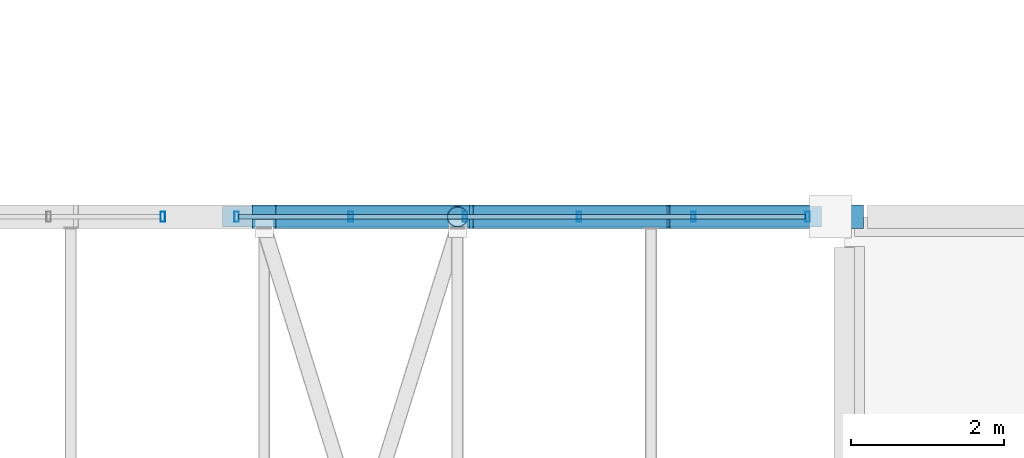
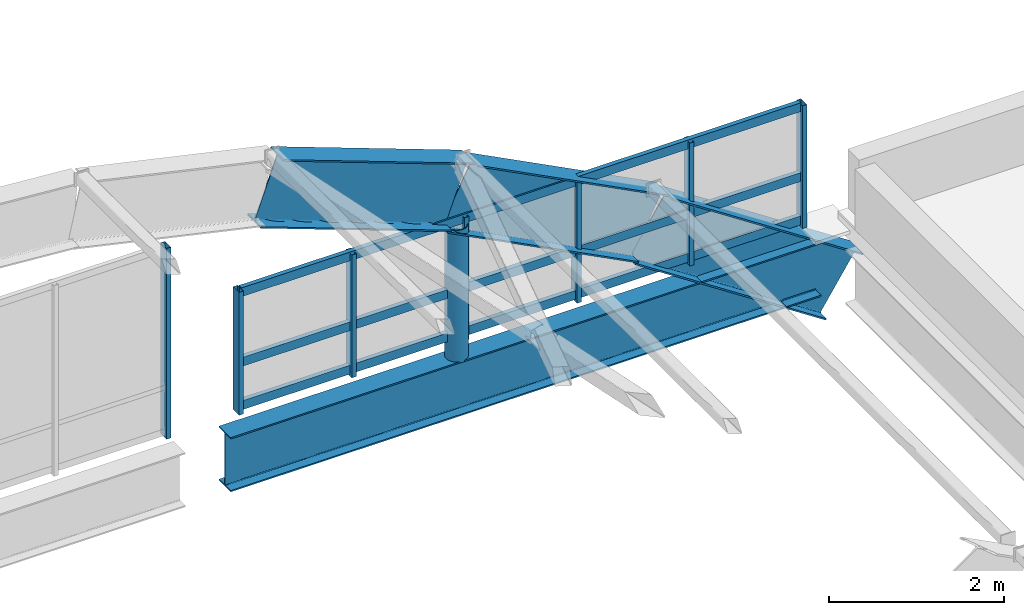
# One storey, part 18 of 130: 11 members, 4 beams, 2 elements without a shape of their own.
"""IFC4 building model written with IfcOpenShell, lengths in metres."""

from ifc_helpers import new_model, si_unit, direction, frame, origin, origin_2d, place, context, subcontext, project, spatial, hollow_rectangle, hollow_circle, i_section, extrude, material, layer, layer_set, material_profile, profile_set, type_object, element, aggregate, save


model = new_model("IFC4")

# Units and contexts
model_context = context("Model", 3, precision=1e-05, world=origin(), true_north=direction((0.0, 1.0)))
body_context = subcontext(model_context, "Body", "Model", "MODEL_VIEW")
ifc_project = project(units=[si_unit("LENGTHUNIT", "METRE"), si_unit("AREAUNIT", "SQUARE_METRE"), si_unit("VOLUMEUNIT", "CUBIC_METRE"), si_unit("PLANEANGLEUNIT", "RADIAN"), si_unit("MASSUNIT", "GRAM", prefix="KILO")], contexts=[model_context])

# Site, building, storey
site_placement = place(None, origin())
site = spatial("IfcSite", under=ifc_project, at=site_placement, CompositionType="ELEMENT")
building_placement = place(site_placement, origin())
building = spatial("IfcBuilding", under=site, at=building_placement, Name="Vireocrest Preparatory School", CompositionType="ELEMENT")
storey_placement = place(building_placement, frame((0.0, 0.0, 9.0)))
storey = spatial("IfcBuildingStorey", under=building, at=storey_placement, Name="L02", CompositionType="ELEMENT", Elevation=9.0)

# Curtain wall, member
ifc_material_1 = material(Name="Thermally broken aluminium EN AW-6063-T6", Category="aluminium")
ifc_layer_1 = layer(ifc_material_1, 0.179931640625)
ifc_layer_set_1 = layer_set([ifc_layer_1], Name="Thermally broken aluminium EN AW-6063-T6")
curtain_wall_type_1 = type_object("IfcCurtainWallType", Name="Vault Centre Gable Clerestory 8400x3800", PredefinedType="USERDEFINED", material=ifc_layer_set_1)
curtain_wall_1_placement = place(storey_placement, origin())
curtain_wall_1 = element("IfcCurtainWall", 1, at=curtain_wall_1_placement, inside=storey, type_object=curtain_wall_type_1, Name="Curtain Wall CW14 CW_L02_CW14_0088_0522_090", ObjectType="CURTAIN WALL", PredefinedType="USERDEFINED")
ifc_material_profile_1 = material_profile(ifc_material_1, hollow_rectangle(XDim=0.06005859375, YDim=0.135009765625, WallThickness=0.00390625, at=origin_2d()), Name="ALU 60x135x4")
ifc_profile_set_1 = profile_set([ifc_material_profile_1], Name="Thermally broken aluminium EN AW-6063-T6")
member_type_1 = type_object("IfcMemberType", Name="CW Clerestory Mullion 60x135x4", PredefinedType="MULLION", material=ifc_profile_set_1)
member_1_placement = place(storey_placement, frame((16.320068359375, 52.199951171875, 0.0), z_axis=(0.0, 0.0, 1.0), x_axis=(1.0, 0.0, 0.0)))
member_1 = element("IfcMember", 2, at=member_1_placement, type_object=member_type_1, Name="CW Mullion ML6 CW_L02_CW14_0088_0522_090-6", PredefinedType="MULLION", context=body_context, shape_type="SweptSolid", body=[
    extrude(hollow_rectangle(XDim=0.06005859375, YDim=0.135009765625, WallThickness=0.00390625, at=origin_2d()), origin(), (0.0, 0.0, 1.0), 2.6650390625),
])
aggregate(curtain_wall_1, [member_1])

# Curtain wall, members
ifc_layer_2 = layer(ifc_material_1, 0.179931640625)
ifc_layer_set_2 = layer_set([ifc_layer_2], Name="Thermally broken aluminium EN AW-6063-T6")
curtain_wall_type_2 = type_object("IfcCurtainWallType", Name="Vault Gable Clerestory 8400x2600", PredefinedType="USERDEFINED", material=ifc_layer_set_2)
curtain_wall_2_placement = place(storey_placement, origin())
curtain_wall_2 = element("IfcCurtainWall", 3, at=curtain_wall_2_placement, inside=storey, type_object=curtain_wall_type_2, Name="Curtain Wall CW13 CW_L02_CW13_0172_0522_090", ObjectType="CURTAIN WALL", PredefinedType="USERDEFINED")
member_2_placement = place(storey_placement, frame((17.280029296875, 52.199951171875, 0.0), z_axis=(0.0, 0.0, 1.0), x_axis=(1.0, 0.0, 0.0)))
member_2 = element("IfcMember", 4, at=member_2_placement, type_object=member_type_1, Name="CW Mullion ML6 CW_L02_CW13_0172_0522_090-1", PredefinedType="MULLION", context=body_context, shape_type="SweptSolid", body=[
    extrude(hollow_rectangle(XDim=0.06005859375, YDim=0.135009765625, WallThickness=0.00390625, at=origin_2d()), origin(), (0.0, 0.0, 1.0), 1.715087890625),
])
member_3_placement = place(storey_placement, frame((18.76806640625, 52.199951171875, 0.0), z_axis=(0.0, 0.0, 1.0), x_axis=(1.0, 0.0, 0.0)))
member_3 = element("IfcMember", 5, at=member_3_placement, type_object=member_type_1, Name="CW Mullion ML6 CW_L02_CW13_0172_0522_090-2", PredefinedType="MULLION", context=body_context, shape_type="SweptSolid", body=[
    extrude(hollow_rectangle(XDim=0.06005859375, YDim=0.135009765625, WallThickness=0.00390625, at=origin_2d()), origin(), (0.0, 0.0, 1.0), 1.715087890625),
])
member_4_placement = place(storey_placement, frame((20.256103515625, 52.199951171875, 0.0), z_axis=(0.0, 0.0, 1.0), x_axis=(1.0, 0.0, 0.0)))
member_4 = element("IfcMember", 6, at=member_4_placement, type_object=member_type_1, Name="CW Mullion ML6 CW_L02_CW13_0172_0522_090-3", PredefinedType="MULLION", context=body_context, shape_type="SweptSolid", body=[
    extrude(hollow_rectangle(XDim=0.06005859375, YDim=0.135009765625, WallThickness=0.00390625, at=origin_2d()), origin(), (0.0, 0.0, 1.0), 1.715087890625),
])
member_5_placement = place(storey_placement, frame((21.743896484375, 52.199951171875, 0.0), z_axis=(0.0, 0.0, 1.0), x_axis=(1.0, 0.0, 0.0)))
member_5 = element("IfcMember", 7, at=member_5_placement, type_object=member_type_1, Name="CW Mullion ML6 CW_L02_CW13_0172_0522_090-4", PredefinedType="MULLION", context=body_context, shape_type="SweptSolid", body=[
    extrude(hollow_rectangle(XDim=0.06005859375, YDim=0.135009765625, WallThickness=0.00390625, at=origin_2d()), origin(), (0.0, 0.0, 1.0), 1.715087890625),
])
member_6_placement = place(storey_placement, frame((23.23193359375, 52.199951171875, 0.0), z_axis=(0.0, 0.0, 1.0), x_axis=(1.0, 0.0, 0.0)))
member_6 = element("IfcMember", 8, at=member_6_placement, type_object=member_type_1, Name="CW Mullion ML6 CW_L02_CW13_0172_0522_090-5", PredefinedType="MULLION", context=body_context, shape_type="SweptSolid", body=[
    extrude(hollow_rectangle(XDim=0.06005859375, YDim=0.135009765625, WallThickness=0.00390625, at=origin_2d()), origin(), (0.0, 0.0, 1.0), 1.715087890625),
])
member_7_placement = place(storey_placement, frame((24.719970703125, 52.199951171875, 0.0), z_axis=(0.0, 0.0, 1.0), x_axis=(1.0, 0.0, 0.0)))
member_7 = element("IfcMember", 9, at=member_7_placement, type_object=member_type_1, Name="CW Mullion ML6 CW_L02_CW13_0172_0522_090-6", PredefinedType="MULLION", context=body_context, shape_type="SweptSolid", body=[
    extrude(hollow_rectangle(XDim=0.06005859375, YDim=0.135009765625, WallThickness=0.00390625, at=origin_2d()), origin(), (0.0, 0.0, 1.0), 1.715087890625),
])
ifc_material_profile_2 = material_profile(ifc_material_1, hollow_rectangle(XDim=0.06005859375, YDim=0.125, WallThickness=0.00390625, at=origin_2d()), Name="ALU 60x125x4")
ifc_profile_set_2 = profile_set([ifc_material_profile_2], Name="Thermally broken aluminium EN AW-6063-T6")
member_type_2 = type_object("IfcMemberType", Name="CW Clerestory Transom 60x125x4", PredefinedType="USERDEFINED", material=ifc_profile_set_2)
member_8_placement = place(storey_placement, frame((17.304931640625, 52.199951171875, 0.094970703125), z_axis=(1.0, 0.0, 0.0), x_axis=(0.0, 1.0, 0.0)))
member_8 = element("IfcMember", 10, at=member_8_placement, type_object=member_type_2, Name="CW Transom TR6 CW_L02_CW13_0172_0522_090-1", ObjectType="TRANSOM", PredefinedType="USERDEFINED", context=body_context, shape_type="SweptSolid", body=[
    extrude(hollow_rectangle(XDim=0.06005859375, YDim=0.125, WallThickness=0.00390625, at=origin_2d()), origin(), (0.0, 0.0, 1.0), 7.39013671875),
])
member_9_placement = place(storey_placement, frame((17.304931640625, 52.199951171875, 0.699951171875), z_axis=(1.0, 0.0, 0.0), x_axis=(0.0, 1.0, 0.0)))
member_9 = element("IfcMember", 11, at=member_9_placement, type_object=member_type_2, Name="CW Transom TR6 CW_L02_CW13_0172_0522_090-2", ObjectType="TRANSOM", PredefinedType="USERDEFINED", context=body_context, shape_type="SweptSolid", body=[
    extrude(hollow_rectangle(XDim=0.06005859375, YDim=0.125, WallThickness=0.00390625, at=origin_2d()), origin(), (0.0, 0.0, 1.0), 7.39013671875),
])
member_10_placement = place(storey_placement, frame((17.304931640625, 52.199951171875, 1.675048828125), z_axis=(1.0, 0.0, 0.0), x_axis=(0.0, 1.0, 0.0)))
member_10 = element("IfcMember", 12, at=member_10_placement, type_object=member_type_2, Name="CW Transom TR6 CW_L02_CW13_0172_0522_090-3", ObjectType="TRANSOM", PredefinedType="USERDEFINED", context=body_context, shape_type="SweptSolid", body=[
    extrude(hollow_rectangle(XDim=0.06005859375, YDim=0.125, WallThickness=0.00390625, at=origin_2d()), origin(), (0.0, 0.0, 1.0), 7.39013671875),
])
aggregate(curtain_wall_2, [member_2, member_3, member_4, member_5, member_6, member_7, member_8, member_9, member_10])

# Beams
ifc_material_2 = material(Name="Structural steel ASTM A992 Grade 50", Category="steel")
ifc_material_profile_3 = material_profile(ifc_material_2, i_section(OverallWidth=0.304931640625, OverallDepth=0.904052734375, WebThickness=0.01513671875, FlangeThickness=0.02001953125, FilletRadius=0.02392578125, at=origin_2d()), Name="W36X135")
ifc_profile_set_3 = profile_set([ifc_material_profile_3], Name="Structural steel ASTM A992 Grade 50")
beam_type_1 = type_object("IfcBeamType", Name="Sports Hall Barrel Vault Arch Rib W36X135", PredefinedType="BEAM", material=ifc_profile_set_3)
beam_1_placement = place(storey_placement, frame((17.639892578125, 52.199951171875, 3.006591796875), z_axis=(0.938013768211, 0.0, -0.346597995733), x_axis=(0.0, 1.0, 0.0)))
element("IfcBeam", 13, at=beam_1_placement, inside=storey, type_object=beam_type_1, Name="Sports Hall Barrel Vault Roof Arch Rib 6 Seg 8", PredefinedType="BEAM", context=body_context, shape_type="SweptSolid", body=[
    extrude(i_section(OverallWidth=0.304931640625, OverallDepth=0.904052734375, WebThickness=0.01513671875, FlangeThickness=0.02001953125, FilletRadius=0.02392578125, at=origin_2d()), origin(), (0.0, 0.0, 1.0), 2.6865234375),
])
beam_2_placement = place(storey_placement, frame((20.159912109375, 52.199951171875, 2.049072265625), z_axis=(0.888848104135, 0.0, -0.458201972689), x_axis=(0.0, 1.0, 0.0)))
element("IfcBeam", 14, at=beam_2_placement, inside=storey, type_object=beam_type_1, Name="Sports Hall Barrel Vault Roof Arch Rib 6 Seg 9", PredefinedType="BEAM", context=body_context, shape_type="SweptSolid", body=[
    extrude(i_section(OverallWidth=0.304931640625, OverallDepth=0.904052734375, WebThickness=0.01513671875, FlangeThickness=0.02001953125, FilletRadius=0.02392578125, at=origin_2d()), origin(), (0.0, 0.0, 1.0), 2.835205078125),
])
beam_3_placement = place(storey_placement, frame((22.679931640625, 52.199951171875, 0.716796875), z_axis=(0.835706541366, 0.0, -0.54917627108), x_axis=(0.0, 1.0, 0.0)))
element("IfcBeam", 15, at=beam_3_placement, inside=storey, type_object=beam_type_1, Name="Sports Hall Barrel Vault Roof Arch Rib 6 Seg 10", PredefinedType="BEAM", context=body_context, shape_type="SweptSolid", body=[
    extrude(i_section(OverallWidth=0.304931640625, OverallDepth=0.904052734375, WebThickness=0.01513671875, FlangeThickness=0.02001953125, FilletRadius=0.02392578125, at=origin_2d()), origin(), (0.0, 0.0, 1.0), 3.015380859375),
])
ifc_material_profile_4 = material_profile(ifc_material_2, i_section(OverallWidth=0.26708984375, OverallDepth=0.758056640625, WebThickness=0.013916015625, FlangeThickness=0.019287109375, FilletRadius=0.01904296875, at=origin_2d()), Name="W30X108")
ifc_profile_set_4 = profile_set([ifc_material_profile_4], Name="Structural steel ASTM A992 Grade 50")
beam_type_2 = type_object("IfcBeamType", Name="Sports Hall Vault Ring Beam W30X108", PredefinedType="BEAM", material=ifc_profile_set_4)
beam_4_placement = place(storey_placement, frame((17.10009765625, 52.199951171875, -0.59912109375), z_axis=(1.0, 0.0, 0.0), x_axis=(0.0, 1.0, 0.0)))
element("IfcBeam", 16, at=beam_4_placement, inside=storey, type_object=beam_type_2, Name="Sports Hall Barrel Vault Roof Gable Ring Beam N-3", PredefinedType="BEAM", context=body_context, shape_type="SweptSolid", body=[
    extrude(i_section(OverallWidth=0.26708984375, OverallDepth=0.758056640625, WebThickness=0.013916015625, FlangeThickness=0.019287109375, FilletRadius=0.01904296875, at=origin_2d()), origin(), (0.0, 0.0, 1.0), 7.7998046875),
])

# Member
ifc_material_3 = material(Name="Painted white steel ASTM A500 Grade C", Category="steel")
ifc_material_profile_5 = material_profile(ifc_material_3, hollow_circle(Radius=0.136474609375, WallThickness=0.0126953125, at=origin_2d()), Name="HSS10.750X0.500")
ifc_profile_set_5 = profile_set([ifc_material_profile_5], Name="Painted white steel ASTM A500 Grade C")
member_type_3 = type_object("IfcMemberType", Name="White Steel Clerestory Strut HSS10.750X0.500", PredefinedType="USERDEFINED", material=ifc_profile_set_5)
member_11_placement = place(storey_placement, frame((20.159912109375, 52.199951171875, -0.239990234375), z_axis=(0.0, 0.0, 1.0), x_axis=(1.0, 0.0, 0.0)))
element("IfcMember", 17, at=member_11_placement, inside=storey, type_object=member_type_3, Name="Sports Hall Barrel Vault Roof Gable Mullion Post 6-8", ObjectType="STRUT", PredefinedType="USERDEFINED", context=body_context, shape_type="SweptSolid", body=[
    extrude(hollow_circle(Radius=0.136474609375, WallThickness=0.0126953125, at=origin_2d()), origin(), (0.0, 0.0, 1.0), 1.85693359375),
])

save(model, "model.ifc")
